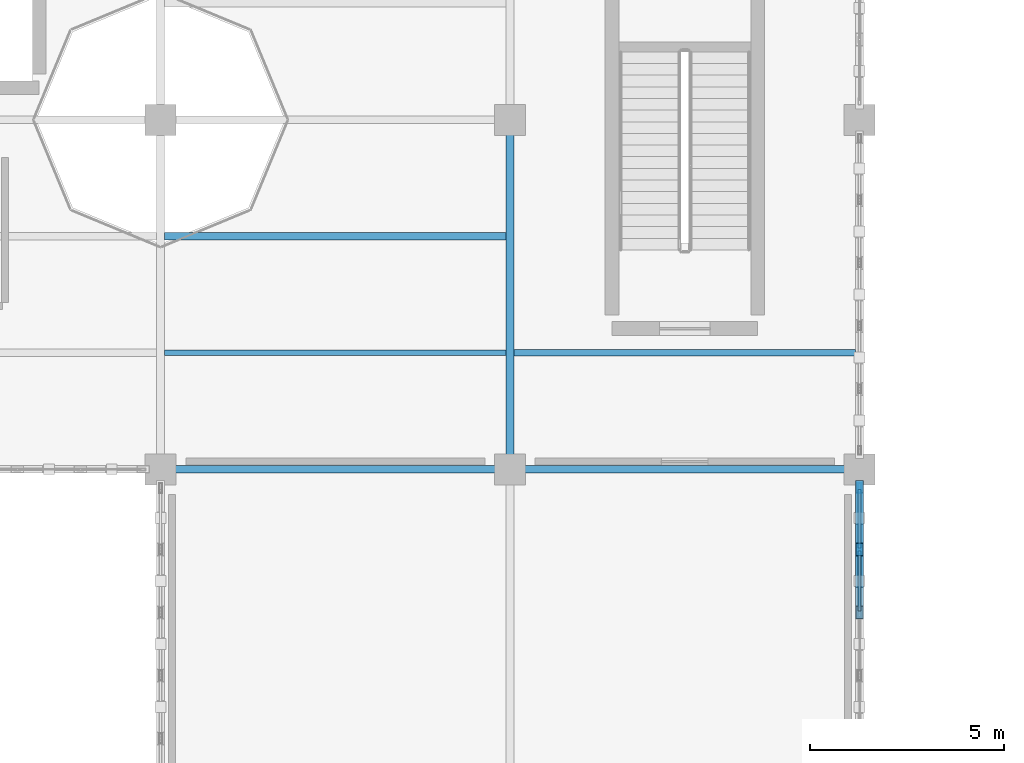
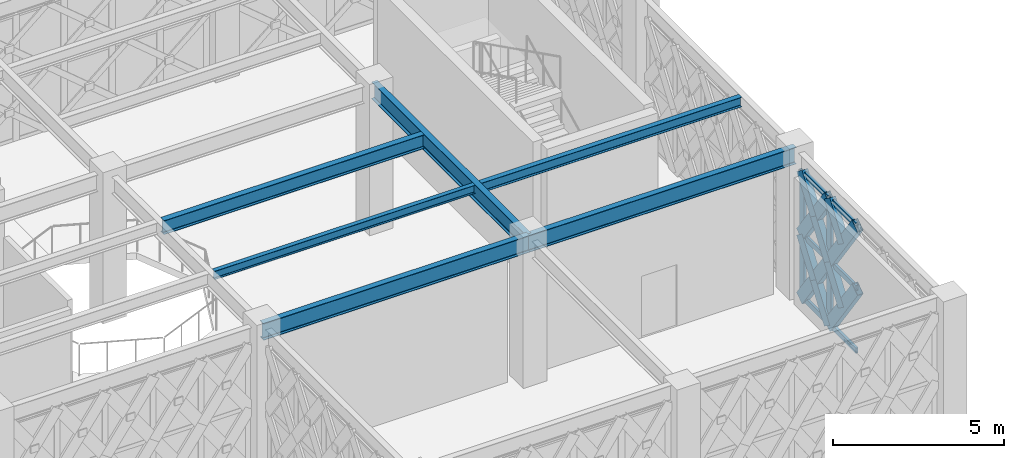
# One storey, part 12 of 86: 18 members, 6 beams, 1 element without a shape of its own.
"""IFC4 building model written with IfcOpenShell, lengths in metres."""

from ifc_helpers import new_model, si_unit, direction, frame, origin, origin_2d, place, context, subcontext, project, spatial, hollow_rectangle, i_section, extrude, material, material_profile, profile_set, type_object, element, aggregate, save


model = new_model("IFC4")

# Units and contexts
model_context = context("Model", 3, precision=1e-05, world=origin(), true_north=direction((0.0, 1.0)))
body_context = subcontext(model_context, "Body", "Model", "MODEL_VIEW")
ifc_project = project(units=[si_unit("LENGTHUNIT", "METRE"), si_unit("AREAUNIT", "SQUARE_METRE"), si_unit("VOLUMEUNIT", "CUBIC_METRE"), si_unit("PLANEANGLEUNIT", "RADIAN"), si_unit("MASSUNIT", "GRAM", prefix="KILO")], contexts=[model_context])

# Site, building, storey
site_placement = place(None, origin())
site = spatial("IfcSite", under=ifc_project, at=site_placement, CompositionType="ELEMENT")
building_placement = place(site_placement, origin())
building = spatial("IfcBuilding", under=site, at=building_placement, Name="Haizhuo Lancet Aquarium", CompositionType="ELEMENT")
storey_placement = place(building_placement, frame((0.0, 0.0, 16.199951171875)))
storey = spatial("IfcBuildingStorey", under=building, at=storey_placement, Name="L03", CompositionType="ELEMENT", Elevation=16.199951171875)

# Beams
ifc_material_1 = material(Name="Steel S355", Category="steel")
ifc_material_profile_1 = material_profile(ifc_material_1, i_section(OverallWidth=0.199951171875, OverallDepth=0.60009765625, WebThickness=0.010986328125, FlangeThickness=0.01708984375, FilletRadius=0.02197265625, at=origin_2d()), Name="HN 600x200x11x17")
ifc_profile_set_1 = profile_set([ifc_material_profile_1], Name="Steel S355")
beam_type_1 = type_object("IfcBeamType", Name="BM-ST-HN600", PredefinedType="BEAM", material=ifc_profile_set_1)
for number, where, z_axis, x_axis, name in (
    (1, (-54.0, -27.0, 4.85009765625), (1.0, 0.0, 0.0), (0.0, 1.0, 0.0), "L03 V6 primary girder BM-L03-V6-017"),
    (2, (-45.0, -27.0, 4.85009765625), (0.0, 1.0, 0.0), (-1.0, 0.0, 0.0), "L03 V6 primary girder BM-L03-V6-023"),
    (3, (-45.0, -27.0, 4.85009765625), (1.0, 0.0, 0.0), (0.0, 1.0, 0.0), "L03 V6 primary girder BM-L03-V6-024"),
):
    element("IfcBeam", number, at=place(storey_placement, frame(where, z_axis=z_axis, x_axis=x_axis)), inside=storey, type_object=beam_type_1, Name=name, PredefinedType="BEAM", context=body_context, shape_type="SweptSolid", body=[
        extrude(i_section(OverallWidth=0.199951171875, OverallDepth=0.60009765625, WebThickness=0.010986328125, FlangeThickness=0.01708984375, FilletRadius=0.02197265625, at=origin_2d()), origin(), (0.0, 0.0, 1.0), 9.0),
    ])

# Curtain wall, members
ifc_material_2 = material(Name="Aluminium 6063-T6", Category="aluminium")
curtain_wall_type = type_object("IfcCurtainWallType", Name="CWD-8110x4550", PredefinedType="NOTDEFINED", material=ifc_material_2)
curtain_wall_placement = place(storey_placement, origin())
curtain_wall = element("IfcCurtainWall", 4, at=curtain_wall_placement, inside=storey, type_object=curtain_wall_type, Name="L03 curtain wall CW-V6-L03-237", PredefinedType="NOTDEFINED")
ifc_material_profile_2 = material_profile(ifc_material_2, hollow_rectangle(XDim=0.080078125, YDim=0.260009765625, WallThickness=0.0048828125, at=origin_2d()), Name="ALU-M 80x260x5")
ifc_profile_set_2 = profile_set([ifc_material_profile_2], Name="Aluminium 6063-T6")
member_type_1 = type_object("IfcMemberType", Name="CW-MUL-3", PredefinedType="MULLION", material=ifc_profile_set_2)
member_1_placement = place(storey_placement, frame((-36.0, -27.485107421875, 0.0), z_axis=(0.0, 0.0, 1.0), x_axis=(1.0, 0.0, 0.0)))
member_1 = element("IfcMember", 5, at=member_1_placement, type_object=member_type_1, Name="CWD-81x45 mullion 1", PredefinedType="MULLION", context=body_context, shape_type="SweptSolid", body=[
    extrude(hollow_rectangle(XDim=0.080078125, YDim=0.260009765625, WallThickness=0.0048828125, at=origin_2d()), origin(), (0.0, 0.0, 1.0), 4.550048828125),
])
member_2_placement = place(storey_placement, frame((-36.0, -29.06689453125, 0.0), z_axis=(0.0, 0.0, 1.0), x_axis=(1.0, 0.0, 0.0)))
member_2 = element("IfcMember", 6, at=member_2_placement, type_object=member_type_1, Name="CWD-81x45 mullion 2", PredefinedType="MULLION", context=body_context, shape_type="SweptSolid", body=[
    extrude(hollow_rectangle(XDim=0.080078125, YDim=0.260009765625, WallThickness=0.0048828125, at=origin_2d()), origin(), (0.0, 0.0, 1.0), 4.550048828125),
])
ifc_material_profile_3 = material_profile(ifc_material_2, hollow_rectangle(XDim=0.080078125, YDim=0.18994140625, WallThickness=0.0048828125, at=origin_2d()), Name="ALU-T 80x190x5")
ifc_profile_set_3 = profile_set([ifc_material_profile_3], Name="Aluminium 6063-T6")
member_type_2 = type_object("IfcMemberType", Name="CW-TRN-3", PredefinedType="NOTDEFINED", material=ifc_profile_set_3)
member_3_placement = place(storey_placement, frame((-36.0, -27.52490234375, 0.0400390625), z_axis=(0.0, -1.0, 0.0), x_axis=(1.0, 0.0, 0.0)))
member_3 = element("IfcMember", 7, at=member_3_placement, type_object=member_type_2, Name="CWD-81x45 transom 1.1", ObjectType="TRANSOM", PredefinedType="USERDEFINED", context=body_context, shape_type="SweptSolid", body=[
    extrude(hollow_rectangle(XDim=0.080078125, YDim=0.18994140625, WallThickness=0.0048828125, at=origin_2d()), origin(), (0.0, 0.0, 1.0), 1.502197265625),
])
member_4_placement = place(storey_placement, frame((-36.0, -27.52490234375, 2.275146484375), z_axis=(0.0, -1.0, 0.0), x_axis=(1.0, 0.0, 0.0)))
member_4 = element("IfcMember", 8, at=member_4_placement, type_object=member_type_2, Name="CWD-81x45 transom 1.2", ObjectType="TRANSOM", PredefinedType="USERDEFINED", context=body_context, shape_type="SweptSolid", body=[
    extrude(hollow_rectangle(XDim=0.080078125, YDim=0.18994140625, WallThickness=0.0048828125, at=origin_2d()), origin(), (0.0, 0.0, 1.0), 1.502197265625),
])
member_5_placement = place(storey_placement, frame((-36.0, -27.52490234375, 4.510009765625), z_axis=(0.0, -1.0, 0.0), x_axis=(1.0, 0.0, 0.0)))
member_5 = element("IfcMember", 9, at=member_5_placement, type_object=member_type_2, Name="CWD-81x45 transom 1.3", ObjectType="TRANSOM", PredefinedType="USERDEFINED", context=body_context, shape_type="SweptSolid", body=[
    extrude(hollow_rectangle(XDim=0.080078125, YDim=0.18994140625, WallThickness=0.0048828125, at=origin_2d()), origin(), (0.0, 0.0, 1.0), 1.502197265625),
])
member_6_placement = place(storey_placement, frame((-36.0, -29.10693359375, 0.0400390625), z_axis=(0.0, -1.0, 0.0), x_axis=(1.0, 0.0, 0.0)))
member_6 = element("IfcMember", 10, at=member_6_placement, type_object=member_type_2, Name="CWD-81x45 transom 2.1", ObjectType="TRANSOM", PredefinedType="USERDEFINED", context=body_context, shape_type="SweptSolid", body=[
    extrude(hollow_rectangle(XDim=0.080078125, YDim=0.18994140625, WallThickness=0.0048828125, at=origin_2d()), origin(), (0.0, 0.0, 1.0), 1.5419921875),
])
member_7_placement = place(storey_placement, frame((-36.0, -29.10693359375, 2.275146484375), z_axis=(0.0, -1.0, 0.0), x_axis=(1.0, 0.0, 0.0)))
member_7 = element("IfcMember", 11, at=member_7_placement, type_object=member_type_2, Name="CWD-81x45 transom 2.2", ObjectType="TRANSOM", PredefinedType="USERDEFINED", context=body_context, shape_type="SweptSolid", body=[
    extrude(hollow_rectangle(XDim=0.080078125, YDim=0.18994140625, WallThickness=0.0048828125, at=origin_2d()), origin(), (0.0, 0.0, 1.0), 1.5419921875),
])
member_8_placement = place(storey_placement, frame((-36.0, -29.10693359375, 4.510009765625), z_axis=(0.0, -1.0, 0.0), x_axis=(1.0, 0.0, 0.0)))
member_8 = element("IfcMember", 12, at=member_8_placement, type_object=member_type_2, Name="CWD-81x45 transom 2.3", ObjectType="TRANSOM", PredefinedType="USERDEFINED", context=body_context, shape_type="SweptSolid", body=[
    extrude(hollow_rectangle(XDim=0.080078125, YDim=0.18994140625, WallThickness=0.0048828125, at=origin_2d()), origin(), (0.0, 0.0, 1.0), 1.5419921875),
])
aggregate(curtain_wall, [member_1, member_2, member_3, member_4, member_5, member_6, member_7, member_8])

# Beams
ifc_material_profile_4 = material_profile(ifc_material_1, i_section(OverallWidth=0.14990234375, OverallDepth=0.300048828125, WebThickness=0.006591796875, FlangeThickness=0.009033203125, FilletRadius=0.012939453125, at=origin_2d()), Name="HN 300x150x6.5x9")
ifc_profile_set_4 = profile_set([ifc_material_profile_4], Name="Steel S355")
beam_type_2 = type_object("IfcBeamType", Name="JST-ST-HN300", PredefinedType="JOIST", material=ifc_profile_set_4)
beam_1_placement = place(storey_placement, frame((-53.89990234375, -24.0, 5.0), z_axis=(1.0, 0.0, 0.0), x_axis=(0.0, 1.0, 0.0)))
element("IfcBeam", 13, at=beam_1_placement, inside=storey, type_object=beam_type_2, Name="L03 V6 secondary floor joist 10", PredefinedType="JOIST", context=body_context, shape_type="SweptSolid", body=[
    extrude(i_section(OverallWidth=0.14990234375, OverallDepth=0.300048828125, WebThickness=0.006591796875, FlangeThickness=0.009033203125, FilletRadius=0.012939453125, at=origin_2d()), origin(), (0.0, 0.0, 1.0), 8.7998046875),
])
ifc_material_profile_5 = material_profile(ifc_material_1, i_section(OverallWidth=0.175048828125, OverallDepth=0.35009765625, WebThickness=0.007080078125, FlangeThickness=0.010986328125, FilletRadius=0.013916015625, at=origin_2d()), Name="HN 350x175x7x11")
ifc_profile_set_5 = profile_set([ifc_material_profile_5], Name="Steel S355")
beam_type_3 = type_object("IfcBeamType", Name="JST-ST-HN350", PredefinedType="JOIST", material=ifc_profile_set_5)
beam_2_placement = place(storey_placement, frame((-44.89990234375, -24.0, 4.97509765625), z_axis=(1.0, 0.0, 0.0), x_axis=(0.0, 1.0, 0.0)))
element("IfcBeam", 14, at=beam_2_placement, inside=storey, type_object=beam_type_3, Name="L03 V6 secondary floor joist 14", PredefinedType="JOIST", context=body_context, shape_type="SweptSolid", body=[
    extrude(i_section(OverallWidth=0.175048828125, OverallDepth=0.35009765625, WebThickness=0.007080078125, FlangeThickness=0.010986328125, FilletRadius=0.013916015625, at=origin_2d()), origin(), (0.0, 0.0, 1.0), 8.7998046875),
])
ifc_material_profile_6 = material_profile(ifc_material_1, i_section(OverallWidth=0.199951171875, OverallDepth=0.5, WebThickness=0.010009765625, FlangeThickness=0.01611328125, FilletRadius=0.02001953125, at=origin_2d()), Name="HN 500x200x10x16")
ifc_profile_set_6 = profile_set([ifc_material_profile_6], Name="Steel S355")
beam_type_4 = type_object("IfcBeamType", Name="JST-ST-HN500", PredefinedType="JOIST", material=ifc_profile_set_6)
beam_3_placement = place(storey_placement, frame((-53.89990234375, -21.0, 4.900146484375), z_axis=(1.0, 0.0, 0.0), x_axis=(0.0, 1.0, 0.0)))
element("IfcBeam", 15, at=beam_3_placement, inside=storey, type_object=beam_type_4, Name="L03 V6 secondary floor joist 11", PredefinedType="JOIST", context=body_context, shape_type="SweptSolid", body=[
    extrude(i_section(OverallWidth=0.199951171875, OverallDepth=0.5, WebThickness=0.010009765625, FlangeThickness=0.01611328125, FilletRadius=0.02001953125, at=origin_2d()), origin(), (0.0, 0.0, 1.0), 8.7998046875),
])

# Members
ifc_material_profile_7 = material_profile(ifc_material_1, hollow_rectangle(XDim=0.199951171875, YDim=0.39990234375, WallThickness=0.011962890625, at=origin_2d()), Name="RHS 200x400x12")
ifc_profile_set_7 = profile_set([ifc_material_profile_7], Name="Steel S355")
member_type_3 = type_object("IfcMemberType", Name="MEM-LB-RHS200x400", PredefinedType="BRACE", material=ifc_profile_set_7)
member_9_placement = place(storey_placement, frame((-36.0, -27.445068359375, 0.0), z_axis=(0.0, -0.580460961116, 0.81428807717), x_axis=(1.0, 0.0, 0.0)))
element("IfcMember", 16, at=member_9_placement, inside=storey, type_object=member_type_3, Name="Gothic lancet continuous diagonal brace CW-V6-L03-237 1A", PredefinedType="BRACE", context=body_context, shape_type="SweptSolid", body=[
    extrude(hollow_rectangle(XDim=0.199951171875, YDim=0.39990234375, WallThickness=0.011962890625, at=origin_2d()), origin(), (0.0, 0.0, 1.0), 2.7939453125),
])
member_10_placement = place(storey_placement, frame((-36.0, -29.06689453125, 0.0), z_axis=(0.0, 0.580609578331, 0.814182115715), x_axis=(-1.0, 0.0, 0.0)))
element("IfcMember", 17, at=member_10_placement, inside=storey, type_object=member_type_3, Name="Gothic lancet split diagonal brace CW-V6-L03-237 1B1", PredefinedType="BRACE", context=body_context, shape_type="SweptSolid", body=[
    extrude(hollow_rectangle(XDim=0.199951171875, YDim=0.39990234375, WallThickness=0.011962890625, at=origin_2d()), origin(), (0.0, 0.0, 1.0), 1.396484375),
])
member_11_placement = place(storey_placement, frame((-36.0, -28.256103515625, 1.136962890625), z_axis=(0.0, 0.580312445357, 0.814393925422), x_axis=(-1.0, 0.0, 0.0)))
element("IfcMember", 18, at=member_11_placement, inside=storey, type_object=member_type_3, Name="Gothic lancet split diagonal brace CW-V6-L03-237 1B2", PredefinedType="BRACE", context=body_context, shape_type="SweptSolid", body=[
    extrude(hollow_rectangle(XDim=0.199951171875, YDim=0.39990234375, WallThickness=0.011962890625, at=origin_2d()), origin(), (0.0, 0.0, 1.0), 1.397705078125),
])
member_12_placement = place(storey_placement, frame((-36.0, -27.445068359375, 2.275146484375), z_axis=(0.0, -0.58050226424, 0.814258632875), x_axis=(1.0, 0.0, 0.0)))
element("IfcMember", 19, at=member_12_placement, inside=storey, type_object=member_type_3, Name="Gothic lancet continuous diagonal brace CW-V6-L03-237 2A", PredefinedType="BRACE", context=body_context, shape_type="SweptSolid", body=[
    extrude(hollow_rectangle(XDim=0.199951171875, YDim=0.39990234375, WallThickness=0.011962890625, at=origin_2d()), origin(), (0.0, 0.0, 1.0), 2.7939453125),
])
member_13_placement = place(storey_placement, frame((-36.0, -29.06689453125, 2.275146484375), z_axis=(0.0, 0.580279135253, 0.814417660166), x_axis=(-1.0, 0.0, 0.0)))
element("IfcMember", 20, at=member_13_placement, inside=storey, type_object=member_type_3, Name="Gothic lancet split diagonal brace CW-V6-L03-237 2B1", PredefinedType="BRACE", context=body_context, shape_type="SweptSolid", body=[
    extrude(hollow_rectangle(XDim=0.199951171875, YDim=0.39990234375, WallThickness=0.011962890625, at=origin_2d()), origin(), (0.0, 0.0, 1.0), 1.397216796875),
])
member_14_placement = place(storey_placement, frame((-36.0, -28.256103515625, 3.4130859375), z_axis=(0.0, 0.580725454015, 0.814099470003), x_axis=(-1.0, 0.0, 0.0)))
element("IfcMember", 21, at=member_14_placement, inside=storey, type_object=member_type_3, Name="Gothic lancet split diagonal brace CW-V6-L03-237 2B2", PredefinedType="BRACE", context=body_context, shape_type="SweptSolid", body=[
    extrude(hollow_rectangle(XDim=0.199951171875, YDim=0.39990234375, WallThickness=0.011962890625, at=origin_2d()), origin(), (0.0, 0.0, 1.0), 1.396484375),
])
member_15_placement = place(storey_placement, frame((-36.0, -29.06689453125, 0.0), z_axis=(0.0, -0.580518894897, 0.814246776271), x_axis=(1.0, 0.0, 0.0)))
element("IfcMember", 22, at=member_15_placement, inside=storey, type_object=member_type_3, Name="Gothic lancet continuous diagonal brace CW-V6-L03-237 3A", PredefinedType="BRACE", context=body_context, shape_type="SweptSolid", body=[
    extrude(hollow_rectangle(XDim=0.199951171875, YDim=0.39990234375, WallThickness=0.011962890625, at=origin_2d()), origin(), (0.0, 0.0, 1.0), 2.794189453125),
])
member_16_placement = place(storey_placement, frame((-36.0, -29.8779296875, 1.136962890625), z_axis=(0.0, 0.580312445357, 0.814393925422), x_axis=(-1.0, 0.0, 0.0)))
element("IfcMember", 23, at=member_16_placement, inside=storey, type_object=member_type_3, Name="Gothic lancet split diagonal brace CW-V6-L03-237 3B2", PredefinedType="BRACE", context=body_context, shape_type="SweptSolid", body=[
    extrude(hollow_rectangle(XDim=0.199951171875, YDim=0.39990234375, WallThickness=0.011962890625, at=origin_2d()), origin(), (0.0, 0.0, 1.0), 1.397705078125),
])
member_17_placement = place(storey_placement, frame((-36.0, -29.06689453125, 2.275146484375), z_axis=(0.0, -0.580560197953, 0.814217327593), x_axis=(1.0, 0.0, 0.0)))
element("IfcMember", 24, at=member_17_placement, inside=storey, type_object=member_type_3, Name="Gothic lancet continuous diagonal brace CW-V6-L03-237 4A", PredefinedType="BRACE", context=body_context, shape_type="SweptSolid", body=[
    extrude(hollow_rectangle(XDim=0.199951171875, YDim=0.39990234375, WallThickness=0.011962890625, at=origin_2d()), origin(), (0.0, 0.0, 1.0), 2.7939453125),
])
member_18_placement = place(storey_placement, frame((-36.0, -29.8779296875, 3.4130859375), z_axis=(0.0, 0.580725454015, 0.814099470003), x_axis=(-1.0, 0.0, 0.0)))
element("IfcMember", 25, at=member_18_placement, inside=storey, type_object=member_type_3, Name="Gothic lancet split diagonal brace CW-V6-L03-237 4B2", PredefinedType="BRACE", context=body_context, shape_type="SweptSolid", body=[
    extrude(hollow_rectangle(XDim=0.199951171875, YDim=0.39990234375, WallThickness=0.011962890625, at=origin_2d()), origin(), (0.0, 0.0, 1.0), 1.396484375),
])

save(model, "model.ifc")
